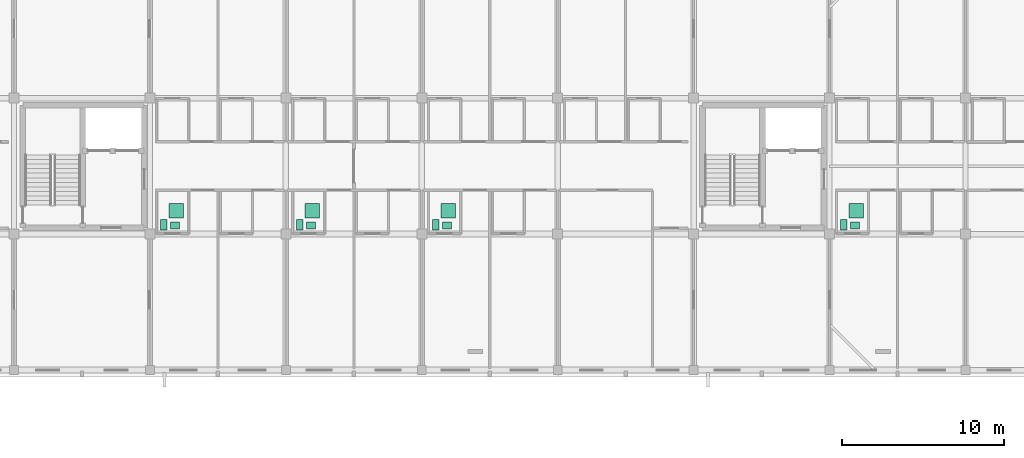
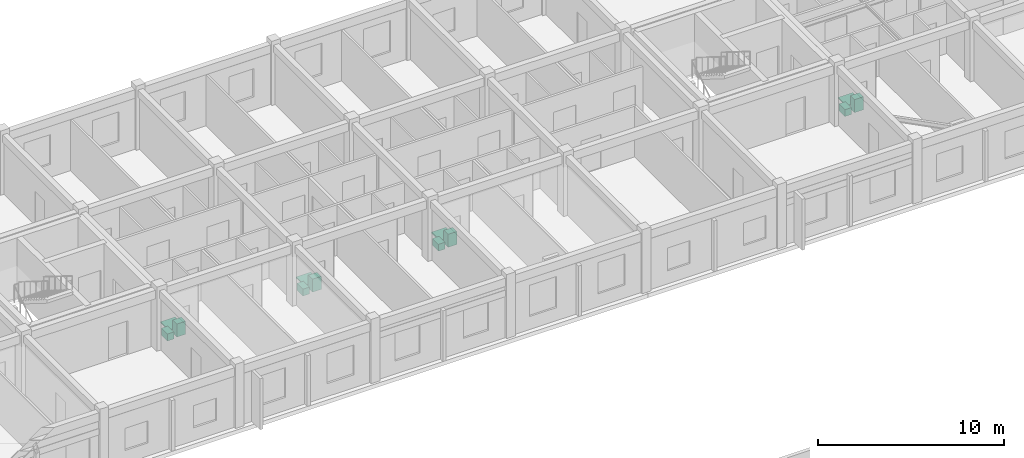
# One storey, part 21 of 21: 12 sanitary terminals.
"""IFC4 building model written with IfcOpenShell, lengths in metres."""

from ifc_helpers import new_model, si_unit, direction, frame, origin, origin_2d, place, context, subcontext, project, spatial, rectangle, extrude, material, type_object, element, save


model = new_model("IFC4")

# Units and contexts
model_context = context("Model", 3, precision=1e-05, world=origin(), true_north=direction((0.0, 1.0)))
body_context = subcontext(model_context, "Body", "Model", "MODEL_VIEW")
ifc_project = project(units=[si_unit("LENGTHUNIT", "METRE"), si_unit("AREAUNIT", "SQUARE_METRE"), si_unit("VOLUMEUNIT", "CUBIC_METRE"), si_unit("PLANEANGLEUNIT", "RADIAN"), si_unit("MASSUNIT", "GRAM", prefix="KILO")], contexts=[model_context])

# Site, building, storey
site_placement = place(None, origin())
site = spatial("IfcSite", under=ifc_project, at=site_placement, CompositionType="ELEMENT")
building_placement = place(site_placement, origin())
building = spatial("IfcBuilding", under=site, at=building_placement, Name="Trelvath General Hospital", CompositionType="ELEMENT")
storey_placement = place(building_placement, frame((0.0, 0.0, 28.800048828125)))
storey = spatial("IfcBuildingStorey", under=building, at=storey_placement, Name="L07", CompositionType="ELEMENT", Elevation=28.800048828125)

# Sanitary terminals
ifc_material_1 = material(Name="Sanitary glazed porcelain")
sanitary_terminal_type_1 = type_object("IfcSanitaryTerminalType", Name="Sanitary Basin", PredefinedType="WASHHANDBASIN", material=ifc_material_1)
for number, where, z_axis, x_axis, name in (
    (1, (51.9599609375, 101.330078125, 0.0), (0.0, 0.0, 1.0), (1.0, 0.0, 0.0), "Pedestal Washbasin FIT-L07-V5-6-W"),
    (2, (60.360107421875, 101.330078125, 0.0), (0.0, 0.0, 1.0), (1.0, 0.0, 0.0), "Pedestal Washbasin FIT-L07-V5-7-W"),
    (3, (68.760009765625, 101.330078125, 0.0), (0.0, 0.0, 1.0), (1.0, 0.0, 0.0), "Pedestal Washbasin FIT-L07-V5-8-W"),
    (4, (93.9599609375, 101.330078125, 0.0), (0.0, 0.0, 1.0), (1.0, 0.0, 0.0), "Pedestal Washbasin FIT-L07-V5-11-W"),
):
    element("IfcSanitaryTerminal", number, at=place(storey_placement, frame(where, z_axis=z_axis, x_axis=x_axis)), inside=storey, type_object=sanitary_terminal_type_1, Name=name, PredefinedType="WASHHANDBASIN", context=body_context, shape_type="SweptSolid", body=[
        extrude(rectangle(XDim=0.550048828125, YDim=0.449951171875, at=origin_2d()), origin(), (0.0, 0.0, 1.0), 0.85009765625),
    ])
ifc_material_2 = material(Name="Sanitary glazed porcelain")
sanitary_terminal_type_2 = type_object("IfcSanitaryTerminalType", Name="Sanitary Shower", PredefinedType="SHOWER", material=ifc_material_2)
for number, where, z_axis, x_axis, name in (
    (5, (52.0400390625, 102.239990234375, 0.0), (0.0, 0.0, 1.0), (1.0, 0.0, 0.0), "Roll-in Shower FIT-L07-V5-6-W"),
    (6, (60.43994140625, 102.239990234375, 0.0), (0.0, 0.0, 1.0), (1.0, 0.0, 0.0), "Roll-in Shower FIT-L07-V5-7-W"),
    (7, (68.840087890625, 102.239990234375, 0.0), (0.0, 0.0, 1.0), (1.0, 0.0, 0.0), "Roll-in Shower FIT-L07-V5-8-W"),
    (8, (94.0400390625, 102.239990234375, 0.0), (0.0, 0.0, 1.0), (1.0, 0.0, 0.0), "Roll-in Shower FIT-L07-V5-11-W"),
):
    element("IfcSanitaryTerminal", number, at=place(storey_placement, frame(where, z_axis=z_axis, x_axis=x_axis)), inside=storey, type_object=sanitary_terminal_type_2, Name=name, PredefinedType="SHOWER", context=body_context, shape_type="SweptSolid", body=[
        extrude(rectangle(XDim=0.89990234375, YDim=0.89990234375, at=origin_2d()), origin(), (0.0, 0.0, 1.0), 0.080078125),
    ])
ifc_material_3 = material(Name="Sanitary glazed porcelain")
sanitary_terminal_type_3 = type_object("IfcSanitaryTerminalType", Name="Sanitary WC", PredefinedType="TOILETPAN", material=ifc_material_3)
for number, where, z_axis, x_axis, name in (
    (9, (51.260009765625, 101.3701171875, 0.0), (0.0, 0.0, 1.0), (1.0, 0.0, 0.0), "WC Pan FIT-L07-V5-6-W"),
    (10, (59.659912109375, 101.3701171875, 0.0), (0.0, 0.0, 1.0), (1.0, 0.0, 0.0), "WC Pan FIT-L07-V5-7-W"),
    (11, (68.06005859375, 101.3701171875, 0.0), (0.0, 0.0, 1.0), (1.0, 0.0, 0.0), "WC Pan FIT-L07-V5-8-W"),
    (12, (93.260009765625, 101.3701171875, 0.0), (0.0, 0.0, 1.0), (1.0, 0.0, 0.0), "WC Pan FIT-L07-V5-11-W"),
):
    element("IfcSanitaryTerminal", number, at=place(storey_placement, frame(where, z_axis=z_axis, x_axis=x_axis)), inside=storey, type_object=sanitary_terminal_type_3, Name=name, PredefinedType="TOILETPAN", context=body_context, shape_type="SweptSolid", body=[
        extrude(rectangle(XDim=0.39990234375, YDim=0.64990234375, at=origin_2d()), origin(), (0.0, 0.0, 1.0), 0.449951171875),
    ])

save(model, "model.ifc")
